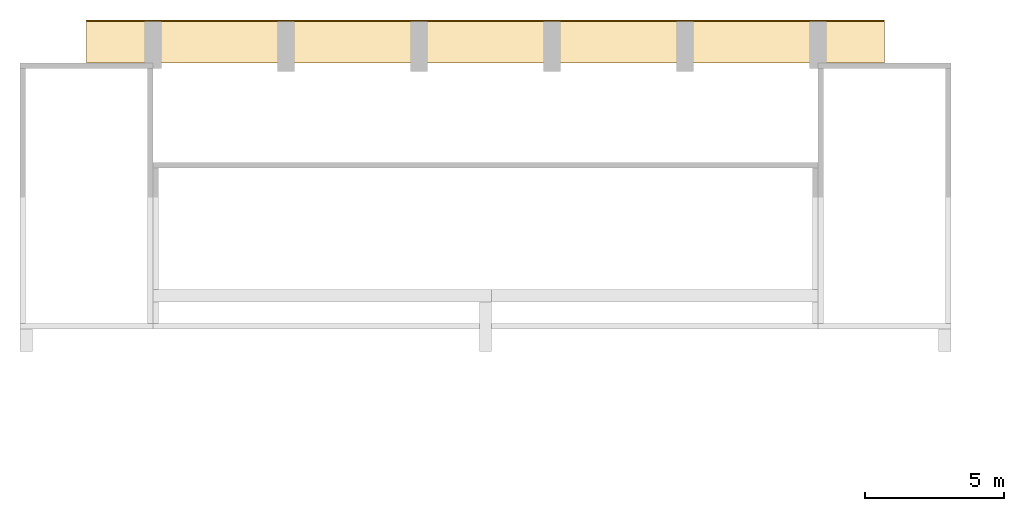
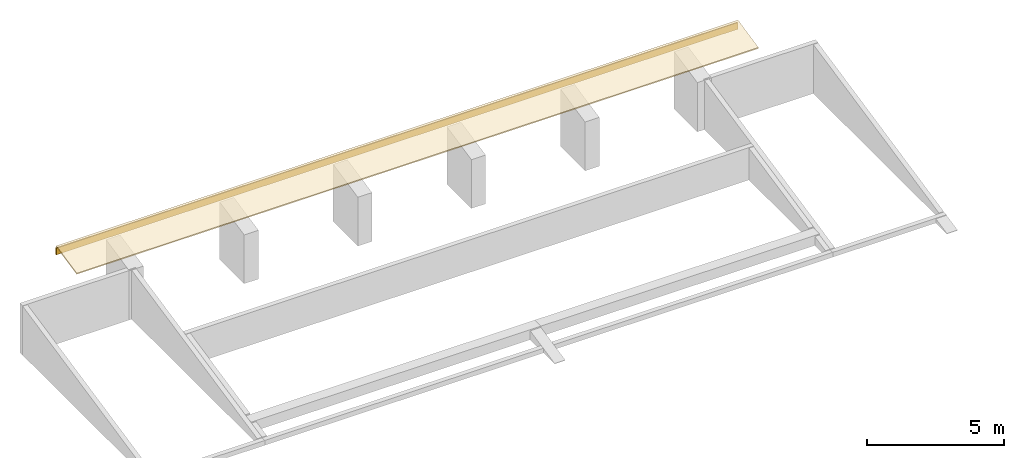
# One storey, part 18 of 18: 2 coverings.
"""IFC4 building model written with IfcOpenShell, lengths in metres."""

from ifc_helpers import new_model, si_unit, direction, frame, origin, place, context, subcontext, project, spatial, polyline, outline, extrude, material, layer, layer_set, type_object, element, save


model = new_model("IFC4")

# Units and contexts
model_context = context("Model", 3, precision=1e-05, world=origin(), true_north=direction((0.0, 1.0)))
body_context = subcontext(model_context, "Body", "Model", "MODEL_VIEW")
ifc_project = project(units=[si_unit("LENGTHUNIT", "METRE"), si_unit("AREAUNIT", "SQUARE_METRE"), si_unit("VOLUMEUNIT", "CUBIC_METRE"), si_unit("PLANEANGLEUNIT", "RADIAN"), si_unit("MASSUNIT", "GRAM", prefix="KILO")], contexts=[model_context])

# Site, building, storey
site_placement = place(None, origin())
site = spatial("IfcSite", under=ifc_project, at=site_placement, CompositionType="ELEMENT")
building_placement = place(site_placement, origin())
building = spatial("IfcBuilding", under=site, at=building_placement, Name="Kiln Court Media Centre", CompositionType="ELEMENT")
storey_placement = place(building_placement, frame((0.0, 0.0, 33.60009765625)))
storey = spatial("IfcBuildingStorey", under=building, at=storey_placement, Name="L07", CompositionType="ELEMENT", Elevation=33.60009765625)

# Coverings
ifc_material_1 = material(Name="Aluminium 3004 H34", Category="aluminium")
ifc_layer_1 = layer(ifc_material_1, 0.050048828125)
ifc_layer_set_1 = layer_set([ifc_layer_1], Name="Aluminium eave fascia 300x50")
covering_type_1 = type_object("IfcCoveringType", Name="Aluminium eave fascia 300x50", PredefinedType="CLADDING", material=ifc_layer_set_1)
covering_1_placement = place(storey_placement, frame((0.0, 0.0, 2.610595703125)))
element("IfcCovering", 1, at=covering_1_placement, inside=storey, type_object=covering_type_1, Name="V4 north eave fascia", PredefinedType="CLADDING", context=body_context, shape_type="SweptSolid", body=[
    extrude(outline(polyline([(2.39990234375, 68.699951171875), (31.199951171875, 68.699951171875), (31.199951171875, 68.75), (2.39990234375, 68.75), (2.39990234375, 68.699951171875)])), origin(), (0.0, 0.0, 1.0), 0.300048828125),
])
ifc_material_2 = material(Name="Bituminous roofing membrane on insulation")
ifc_layer_2 = layer(ifc_material_2, 0.06005859375)
ifc_layer_set_2 = layer_set([ifc_layer_2], Name="Roofing membrane and insulation 60")
covering_type_2 = type_object("IfcCoveringType", Name="Roofing membrane and insulation 60", PredefinedType="ROOFING", material=ifc_layer_set_2)
covering_2_placement = place(storey_placement, frame((2.39990234375, 67.199951171875, 2.703125), z_axis=(0.0, -0.20791968542, 0.978145901394), x_axis=(1.0, 0.0, 0.0)))
element("IfcCovering", 2, at=covering_2_placement, inside=storey, type_object=covering_type_2, Name="V4 north eave roofing", PredefinedType="ROOFING", context=body_context, shape_type="SweptSolid", body=[
    extrude(outline(polyline([(0.0, 0.0), (28.800048828125, 0.0), (28.800048828125, 1.5335135564761462), (0.0, 1.5335135564761462), (0.0, 0.0)])), origin(), (0.0, 0.0, -1.0), 0.06005859375),
])

save(model, "model.ifc")
